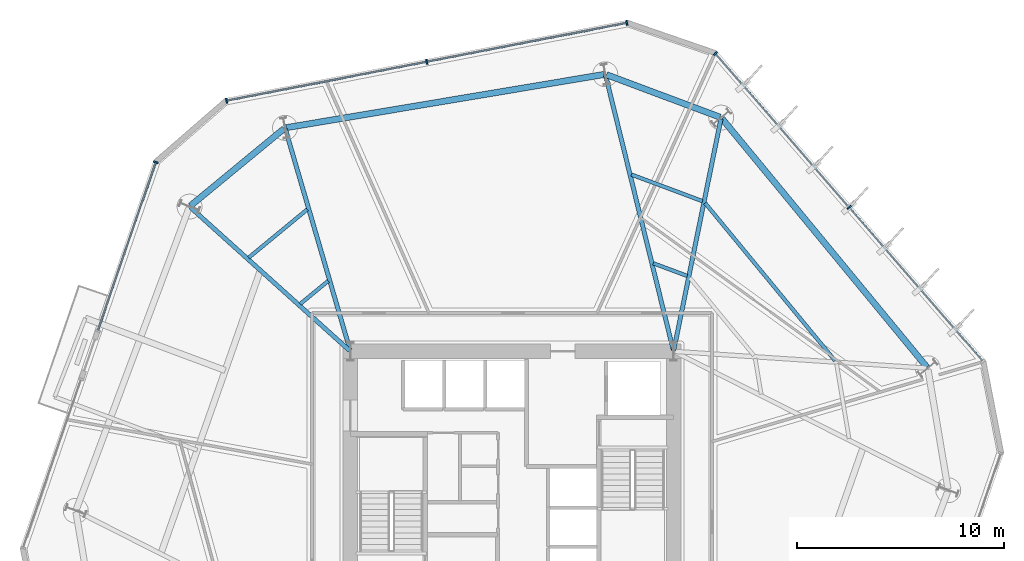
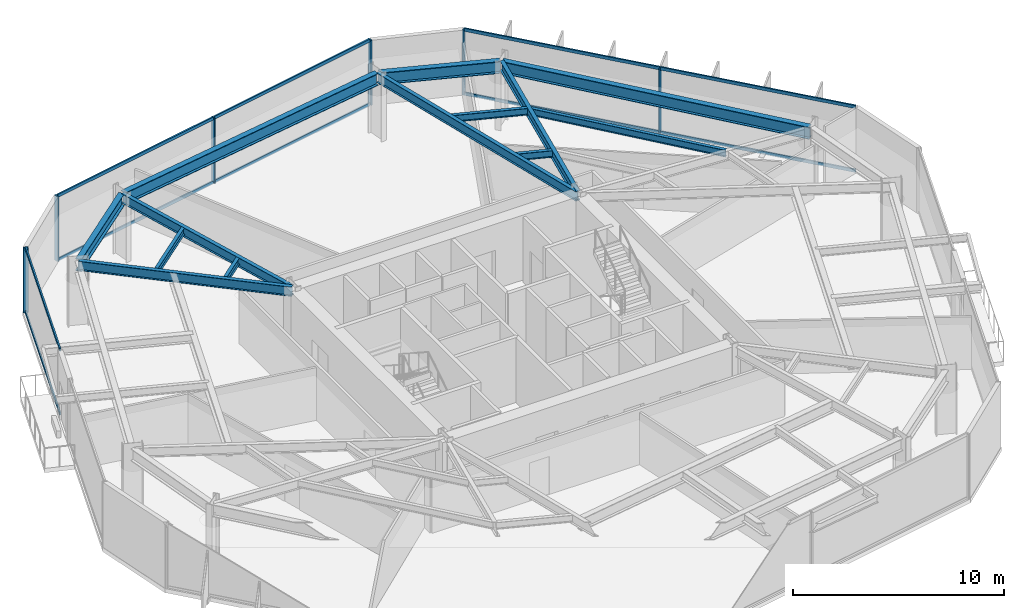
# One storey, part 4 of 10: 16 members, 13 beams, 3 elements without a shape of their own.
"""IFC4 building model written with IfcOpenShell, lengths in metres."""

from ifc_helpers import new_model, si_unit, direction, frame, origin, origin_2d, place, context, subcontext, project, spatial, rectangle, i_section, extrude, material, layer, layer_set, material_profile, profile_set, type_object, element, aggregate, save


model = new_model("IFC4")

# Units and contexts
model_context = context("Model", 3, precision=1e-05, world=origin(), true_north=direction((0.0, 1.0)))
body_context = subcontext(model_context, "Body", "Model", "MODEL_VIEW")
ifc_project = project(units=[si_unit("LENGTHUNIT", "METRE"), si_unit("AREAUNIT", "SQUARE_METRE"), si_unit("VOLUMEUNIT", "CUBIC_METRE"), si_unit("PLANEANGLEUNIT", "RADIAN"), si_unit("MASSUNIT", "GRAM", prefix="KILO")], contexts=[model_context])

# Site, building, storey
site_placement = place(None, origin())
site = spatial("IfcSite", under=ifc_project, at=site_placement, CompositionType="ELEMENT")
building_placement = place(site_placement, origin())
building = spatial("IfcBuilding", under=site, at=building_placement, Name="Kranzbogen Civic Tower", CompositionType="ELEMENT")
storey_placement = place(building_placement, frame((0.0, 0.0, 64.0)))
storey = spatial("IfcBuildingStorey", under=building, at=storey_placement, Name="L15", CompositionType="ELEMENT", Elevation=64.0)

# Curtain wall, members
ifc_material_1 = material(Name="Pale Anodised Aluminium", Category="aluminium")
ifc_layer = layer(ifc_material_1, 0.219970703125, Name="Pale Anodised Aluminium")
ifc_layer_set = layer_set([ifc_layer], Name="Pale Anodised Aluminium")
curtain_wall_type = type_object("IfcCurtainWallType", Name="Zone 1 Stick Curtain Wall System CW-02", PredefinedType="USERDEFINED", material=ifc_layer_set)
curtain_wall_1_placement = place(storey_placement, origin())
curtain_wall_1 = element("IfcCurtainWall", 1, at=curtain_wall_1_placement, inside=storey, type_object=curtain_wall_type, Name="L15 curtain wall CW-L15-F1", ObjectType="STICK CURTAIN WALL", PredefinedType="USERDEFINED")
ifc_material_profile_1 = material_profile(ifc_material_1, rectangle(XDim=0.080078125, YDim=0.239990234375, at=origin_2d()), Name="ALU-M 80x240")
ifc_profile_set_1 = profile_set([ifc_material_profile_1], Name="Pale Anodised Aluminium")
member_type_1 = type_object("IfcMemberType", Name="Curtain Wall Mullion ALU-M 80x240", PredefinedType="MULLION", material=ifc_profile_set_1)
member_1_placement = place(storey_placement, frame((41.281005859375, 39.153076171875, 0.0), z_axis=(0.0, 0.0, 1.0), x_axis=(-0.65605582795, 0.754712362833, 0.0)))
member_1 = element("IfcMember", 2, at=member_1_placement, type_object=member_type_1, Name="CW-02 mullion 2", PredefinedType="MULLION", context=body_context, shape_type="SweptSolid", body=[
    extrude(rectangle(XDim=0.080078125, YDim=0.239990234375, at=origin_2d()), origin(), (0.0, 0.0, 1.0), 3.760009765625),
])
member_2_placement = place(storey_placement, frame((34.82373046875, 46.581298828125, 0.0), z_axis=(0.0, 0.0, 1.0), x_axis=(-0.65605582795, 0.754712362833, 0.0)))
member_2 = element("IfcMember", 3, at=member_2_placement, type_object=member_type_1, Name="CW-02 mullion 3", PredefinedType="MULLION", context=body_context, shape_type="SweptSolid", body=[
    extrude(rectangle(XDim=0.080078125, YDim=0.239990234375, at=origin_2d()), origin(), (0.0, 0.0, 1.0), 3.760009765625),
])

curtain_wall_2_placement = place(storey_placement, origin())
curtain_wall_2 = element("IfcCurtainWall", 4, at=curtain_wall_2_placement, inside=storey, type_object=curtain_wall_type, Name="L15 curtain wall CW-L15-F2", ObjectType="STICK CURTAIN WALL", PredefinedType="USERDEFINED")
member_3_placement = place(storey_placement, frame((30.54443359375, 48.05419921875, 0.0), z_axis=(0.0, 0.0, 1.0), x_axis=(-0.98162224226, -0.190834413825, 0.0)))
member_3 = element("IfcMember", 5, at=member_3_placement, type_object=member_type_1, Name="CW-02 mullion 1", PredefinedType="MULLION", context=body_context, shape_type="SweptSolid", body=[
    extrude(rectangle(XDim=0.080078125, YDim=0.239990234375, at=origin_2d()), origin(), (0.0, 0.0, 1.0), 3.760009765625),
])
member_4_placement = place(storey_placement, frame((20.883056640625, 46.176025390625, 0.0), z_axis=(0.0, 0.0, 1.0), x_axis=(-0.98162224226, -0.190834413825, 0.0)))
member_4 = element("IfcMember", 6, at=member_4_placement, type_object=member_type_1, Name="CW-02 mullion 2", PredefinedType="MULLION", context=body_context, shape_type="SweptSolid", body=[
    extrude(rectangle(XDim=0.080078125, YDim=0.239990234375, at=origin_2d()), origin(), (0.0, 0.0, 1.0), 3.760009765625),
])
member_5_placement = place(storey_placement, frame((11.221435546875, 44.297607421875, 0.0), z_axis=(0.0, 0.0, 1.0), x_axis=(-0.98162224226, -0.190834413825, 0.0)))
member_5 = element("IfcMember", 7, at=member_5_placement, type_object=member_type_1, Name="CW-02 mullion 3", PredefinedType="MULLION", context=body_context, shape_type="SweptSolid", body=[
    extrude(rectangle(XDim=0.080078125, YDim=0.239990234375, at=origin_2d()), origin(), (0.0, 0.0, 1.0), 3.760009765625),
])

# Curtain wall, member
curtain_wall_3_placement = place(storey_placement, origin())
curtain_wall_3 = element("IfcCurtainWall", 8, at=curtain_wall_3_placement, inside=storey, type_object=curtain_wall_type, Name="L15 curtain wall CW-L15-F3-S1", ObjectType="STICK CURTAIN WALL", PredefinedType="USERDEFINED")
member_6_placement = place(storey_placement, frame((7.80615234375, 41.32861328125, 0.0), z_axis=(0.0, 0.0, 1.0), x_axis=(-0.325553504006, -0.945523620027, 0.0)))
member_6 = element("IfcMember", 9, at=member_6_placement, type_object=member_type_1, Name="CW-02 mullion 1", PredefinedType="MULLION", context=body_context, shape_type="SweptSolid", body=[
    extrude(rectangle(XDim=0.080078125, YDim=0.239990234375, at=origin_2d()), origin(), (0.0, 0.0, 1.0), 3.760009765625),
])

# Member
ifc_material_profile_2 = material_profile(ifc_material_1, rectangle(XDim=0.080078125, YDim=0.179931640625, at=origin_2d()), Name="ALU-T 80x180")
ifc_profile_set_2 = profile_set([ifc_material_profile_2], Name="Pale Anodised Aluminium")
member_type_2 = type_object("IfcMemberType", Name="Curtain Wall Transom ALU-T 80x180", PredefinedType="USERDEFINED", material=ifc_profile_set_2)
member_7_placement = place(storey_placement, frame((47.71875, 31.747314453125, 0.030029296875), z_axis=(-0.656057604111, 0.754710818849, 0.0), x_axis=(-0.754710818849, -0.656057604111, 0.0)))
member_7 = element("IfcMember", 10, at=member_7_placement, type_object=member_type_2, Name="CW-02 transom 1.1", ObjectType="TRANSOM", PredefinedType="USERDEFINED", context=body_context, shape_type="SweptSolid", body=[
    extrude(rectangle(XDim=0.080078125, YDim=0.179931640625, at=origin_2d()), origin(), (0.0, 0.0, 1.0), 9.78271484375),
])

member_8_placement = place(storey_placement, frame((47.71875, 31.747314453125, 3.72998046875), z_axis=(-0.656057604111, 0.754710818849, 0.0), x_axis=(-0.754710818849, -0.656057604111, 0.0)))
member_8 = element("IfcMember", 11, at=member_8_placement, type_object=member_type_2, Name="CW-02 transom 1.2", ObjectType="TRANSOM", PredefinedType="USERDEFINED", context=body_context, shape_type="SweptSolid", body=[
    extrude(rectangle(XDim=0.080078125, YDim=0.179931640625, at=origin_2d()), origin(), (0.0, 0.0, 1.0), 9.78271484375),
])

member_9_placement = place(storey_placement, frame((41.26123046875, 39.175537109375, 0.030029296875), z_axis=(-0.656045247428, 0.754721560131, 0.0), x_axis=(-0.754721560131, -0.656045247428, 0.0)))
member_9 = element("IfcMember", 12, at=member_9_placement, type_object=member_type_2, Name="CW-02 transom 2.1", ObjectType="TRANSOM", PredefinedType="USERDEFINED", context=body_context, shape_type="SweptSolid", body=[
    extrude(rectangle(XDim=0.080078125, YDim=0.179931640625, at=origin_2d()), origin(), (0.0, 0.0, 1.0), 9.78271484375),
])

member_10_placement = place(storey_placement, frame((41.26123046875, 39.175537109375, 3.72998046875), z_axis=(-0.656045247428, 0.754721560131, 0.0), x_axis=(-0.754721560131, -0.656045247428, 0.0)))
member_10 = element("IfcMember", 13, at=member_10_placement, type_object=member_type_2, Name="CW-02 transom 2.2", ObjectType="TRANSOM", PredefinedType="USERDEFINED", context=body_context, shape_type="SweptSolid", body=[
    extrude(rectangle(XDim=0.080078125, YDim=0.179931640625, at=origin_2d()), origin(), (0.0, 0.0, 1.0), 9.78271484375),
])

aggregate(curtain_wall_1, [member_1, member_2, member_7, member_8, member_9, member_10])

member_11_placement = place(storey_placement, frame((30.51513671875, 48.048583984375, 0.030029296875), z_axis=(-0.981620454876, -0.190843607618, 0.0), x_axis=(0.190843607618, -0.981620454876, 0.0)))
member_11 = element("IfcMember", 14, at=member_11_placement, type_object=member_type_2, Name="CW-02 transom 1.1", ObjectType="TRANSOM", PredefinedType="USERDEFINED", context=body_context, shape_type="SweptSolid", body=[
    extrude(rectangle(XDim=0.080078125, YDim=0.179931640625, at=origin_2d()), origin(), (0.0, 0.0, 1.0), 9.782470703125),
])

member_12_placement = place(storey_placement, frame((30.51513671875, 48.048583984375, 3.72998046875), z_axis=(-0.981620454876, -0.190843607618, 0.0), x_axis=(0.190843607618, -0.981620454876, 0.0)))
member_12 = element("IfcMember", 15, at=member_12_placement, type_object=member_type_2, Name="CW-02 transom 1.2", ObjectType="TRANSOM", PredefinedType="USERDEFINED", context=body_context, shape_type="SweptSolid", body=[
    extrude(rectangle(XDim=0.080078125, YDim=0.179931640625, at=origin_2d()), origin(), (0.0, 0.0, 1.0), 9.782470703125),
])

member_13_placement = place(storey_placement, frame((20.853515625, 46.170166015625, 0.030029296875), z_axis=(-0.981624221123, -0.190824234585, 0.0), x_axis=(0.190824234585, -0.981624221123, 0.0)))
member_13 = element("IfcMember", 16, at=member_13_placement, type_object=member_type_2, Name="CW-02 transom 2.1", ObjectType="TRANSOM", PredefinedType="USERDEFINED", context=body_context, shape_type="SweptSolid", body=[
    extrude(rectangle(XDim=0.080078125, YDim=0.179931640625, at=origin_2d()), origin(), (0.0, 0.0, 1.0), 9.7822265625),
])

member_14_placement = place(storey_placement, frame((20.853515625, 46.170166015625, 3.72998046875), z_axis=(-0.981624221123, -0.190824234585, 0.0), x_axis=(0.190824234585, -0.981624221123, 0.0)))
member_14 = element("IfcMember", 17, at=member_14_placement, type_object=member_type_2, Name="CW-02 transom 2.2", ObjectType="TRANSOM", PredefinedType="USERDEFINED", context=body_context, shape_type="SweptSolid", body=[
    extrude(rectangle(XDim=0.080078125, YDim=0.179931640625, at=origin_2d()), origin(), (0.0, 0.0, 1.0), 9.7822265625),
])

aggregate(curtain_wall_2, [member_3, member_4, member_5, member_11, member_12, member_13, member_14])

member_15_placement = place(storey_placement, frame((7.79638671875, 41.30029296875, 0.030029296875), z_axis=(-0.325556875479, -0.945522459188, 0.0), x_axis=(0.945522459188, -0.325556875479, 0.0)))
member_15 = element("IfcMember", 18, at=member_15_placement, type_object=member_type_2, Name="CW-02 transom 1.1", ObjectType="TRANSOM", PredefinedType="USERDEFINED", context=body_context, shape_type="SweptSolid", body=[
    extrude(rectangle(XDim=0.080078125, YDim=0.179931640625, at=origin_2d()), origin(), (0.0, 0.0, 1.0), 8.55126953125),
])

member_16_placement = place(storey_placement, frame((7.79638671875, 41.30029296875, 3.72998046875), z_axis=(-0.325556875479, -0.945522459188, 0.0), x_axis=(0.945522459188, -0.325556875479, 0.0)))
member_16 = element("IfcMember", 19, at=member_16_placement, type_object=member_type_2, Name="CW-02 transom 1.2", ObjectType="TRANSOM", PredefinedType="USERDEFINED", context=body_context, shape_type="SweptSolid", body=[
    extrude(rectangle(XDim=0.080078125, YDim=0.179931640625, at=origin_2d()), origin(), (0.0, 0.0, 1.0), 8.55126953125),
])

aggregate(curtain_wall_3, [member_6, member_15, member_16])

# Beams
ifc_material_2 = material(Name="Steel S355", Category="steel")
ifc_material_profile_3 = material_profile(ifc_material_2, i_section(OverallWidth=0.300048828125, OverallDepth=0.699951171875, WebThickness=0.01708984375, FlangeThickness=0.031982421875, at=origin_2d()), Name="HEB 700")
ifc_profile_set_3 = profile_set([ifc_material_profile_3], Name="Steel S355")
beam_type_1 = type_object("IfcBeamType", Name="Perimeter Tube Spandrel Beam HEB 700", PredefinedType="SPANDREL", material=ifc_profile_set_3)
beam_1_placement = place(storey_placement, frame((45.033935546875, 31.431884765625, 3.409912109375), z_axis=(-0.636074572579, 0.771627590304, 0.0), x_axis=(-0.771627590304, -0.636074572579, 0.0)))
element("IfcBeam", 20, at=beam_1_placement, inside=storey, type_object=beam_type_1, Name="L15 perimeter spandrel beam 08", PredefinedType="SPANDREL", context=body_context, shape_type="SweptSolid", body=[
    extrude(i_section(OverallWidth=0.300048828125, OverallDepth=0.699951171875, WebThickness=0.01708984375, FlangeThickness=0.031982421875, at=origin_2d()), origin(), (0.0, 0.0, 1.0), 15.5595703125),
])
beam_2_placement = place(storey_placement, frame((35.04296875, 43.5048828125, 3.409912109375), z_axis=(-0.936647646965, 0.350273015568, 0.0), x_axis=(-0.350273015568, -0.936647646965, 0.0)))
element("IfcBeam", 21, at=beam_2_placement, inside=storey, type_object=beam_type_1, Name="L15 perimeter spandrel beam 09", PredefinedType="SPANDREL", context=body_context, shape_type="SweptSolid", body=[
    extrude(i_section(OverallWidth=0.300048828125, OverallDepth=0.699951171875, WebThickness=0.01708984375, FlangeThickness=0.031982421875, at=origin_2d()), origin(), (0.0, 0.0, 1.0), 5.852783203125),
])
beam_3_placement = place(storey_placement, frame((29.446044921875, 45.56591796875, 3.409912109375), z_axis=(-0.986285563243, -0.165047834697, 0.0), x_axis=(0.165047834697, -0.986285563243, 0.0)))
element("IfcBeam", 22, at=beam_3_placement, inside=storey, type_object=beam_type_1, Name="L15 perimeter spandrel beam 10", PredefinedType="SPANDREL", context=body_context, shape_type="SweptSolid", body=[
    extrude(i_section(OverallWidth=0.300048828125, OverallDepth=0.699951171875, WebThickness=0.01708984375, FlangeThickness=0.031982421875, at=origin_2d()), origin(), (0.0, 0.0, 1.0), 15.558349609375),
])
beam_4_placement = place(storey_placement, frame((13.99609375, 42.949951171875, 3.409912109375), z_axis=(-0.77168336865, -0.636006901337, 0.0), x_axis=(0.636006901337, -0.77168336865, 0.0)))
element("IfcBeam", 23, at=beam_4_placement, inside=storey, type_object=beam_type_1, Name="L15 perimeter spandrel beam 11", PredefinedType="SPANDREL", context=body_context, shape_type="SweptSolid", body=[
    extrude(i_section(OverallWidth=0.300048828125, OverallDepth=0.699951171875, WebThickness=0.01708984375, FlangeThickness=0.031982421875, at=origin_2d()), origin(), (0.0, 0.0, 1.0), 5.853515625),
])
ifc_material_profile_4 = material_profile(ifc_material_2, i_section(OverallWidth=0.2099609375, OverallDepth=0.550048828125, WebThickness=0.010986328125, FlangeThickness=0.01708984375, at=origin_2d()), Name="IPE 550")
ifc_profile_set_4 = profile_set([ifc_material_profile_4], Name="Steel S355")
beam_type_2 = type_object("IfcBeamType", Name="Radial Tower Floor Girder IPE 550", PredefinedType="BEAM", material=ifc_profile_set_4)
beam_5_placement = place(storey_placement, frame((35.0869140625, 43.425048828125, 3.485107421875), z_axis=(-0.199633433694, -0.979870650725, 0.0), x_axis=(0.979870650725, -0.199633433694, 0.0)))
element("IfcBeam", 24, at=beam_5_placement, inside=storey, type_object=beam_type_2, Name="L15 radial floor girder 09", PredefinedType="BEAM", context=body_context, shape_type="SweptSolid", body=[
    extrude(i_section(OverallWidth=0.2099609375, OverallDepth=0.550048828125, WebThickness=0.010986328125, FlangeThickness=0.01708984375, at=origin_2d()), origin(), (0.0, 0.0, 1.0), 11.3955078125),
])
beam_6_placement = place(storey_placement, frame((29.51904296875, 45.51806640625, 3.485107421875), z_axis=(0.239215348776, -0.970966537482, 0.0), x_axis=(0.970966537482, 0.239215348776, 0.0)))
element("IfcBeam", 25, at=beam_6_placement, inside=storey, type_object=beam_type_2, Name="L15 radial floor girder 10", PredefinedType="BEAM", context=body_context, shape_type="SweptSolid", body=[
    extrude(i_section(OverallWidth=0.2099609375, OverallDepth=0.550048828125, WebThickness=0.010986328125, FlangeThickness=0.01708984375, at=origin_2d()), origin(), (0.0, 0.0, 1.0), 13.656494140625),
])
beam_7_placement = place(storey_placement, frame((14.05908203125, 42.929931640625, 3.485107421875), z_axis=(0.280944131918, -0.959724124288, 0.0), x_axis=(0.959724124288, 0.280944131918, 0.0)))
element("IfcBeam", 26, at=beam_7_placement, inside=storey, type_object=beam_type_2, Name="L15 radial floor girder 11", PredefinedType="BEAM", context=body_context, shape_type="SweptSolid", body=[
    extrude(i_section(OverallWidth=0.2099609375, OverallDepth=0.550048828125, WebThickness=0.010986328125, FlangeThickness=0.01708984375, at=origin_2d()), origin(), (0.0, 0.0, 1.0), 11.11962890625),
])
beam_8_placement = place(storey_placement, frame((9.47802734375, 39.14892578125, 3.485107421875), z_axis=(0.743311776894, -0.668945141496, 0.0), x_axis=(0.668945141496, 0.743311776894, 0.0)))
element("IfcBeam", 27, at=beam_8_placement, inside=storey, type_object=beam_type_2, Name="L15 radial floor girder 12", PredefinedType="BEAM", context=body_context, shape_type="SweptSolid", body=[
    extrude(i_section(OverallWidth=0.2099609375, OverallDepth=0.550048828125, WebThickness=0.010986328125, FlangeThickness=0.01708984375, at=origin_2d()), origin(), (0.0, 0.0, 1.0), 10.328125),
])
ifc_material_profile_5 = material_profile(ifc_material_2, i_section(OverallWidth=0.179931640625, OverallDepth=0.39990234375, WebThickness=0.008544921875, FlangeThickness=0.013427734375, at=origin_2d()), Name="IPE 400")
ifc_profile_set_5 = profile_set([ifc_material_profile_5], Name="Steel S355")
beam_type_3 = type_object("IfcBeamType", Name="Secondary Composite Floor Joist IPE 400", PredefinedType="JOIST", material=ifc_profile_set_5)
beam_9_placement = place(storey_placement, frame((40.60302734375, 31.740966796875, 3.56005859375), z_axis=(-0.636094561772, 0.771611112209, 0.0), x_axis=(-0.771611112209, -0.636094561772, 0.0)))
element("IfcBeam", 28, at=beam_9_placement, inside=storey, type_object=beam_type_3, Name="L15 secondary floor joist 1.08", PredefinedType="JOIST", context=body_context, shape_type="SweptSolid", body=[
    extrude(i_section(OverallWidth=0.179931640625, OverallDepth=0.39990234375, WebThickness=0.008544921875, FlangeThickness=0.013427734375, at=origin_2d()), origin(), (0.0, 0.0, 1.0), 9.874267578125),
])
beam_10_placement = place(storey_placement, frame((34.196044921875, 39.449951171875, 3.56005859375), z_axis=(-0.936622008794, 0.350341565678, 0.0), x_axis=(-0.350341565678, -0.936622008794, 0.0)))
element("IfcBeam", 29, at=beam_10_placement, inside=storey, type_object=beam_type_3, Name="L15 secondary floor joist 1.09", PredefinedType="JOIST", context=body_context, shape_type="SweptSolid", body=[
    extrude(i_section(OverallWidth=0.179931640625, OverallDepth=0.39990234375, WebThickness=0.008544921875, FlangeThickness=0.013427734375, at=origin_2d()), origin(), (0.0, 0.0, 1.0), 3.662109375),
])
beam_11_placement = place(storey_placement, frame((33.4609375, 35.839111328125, 3.56005859375), z_axis=(-0.936735458815, 0.350038112495, 0.0), x_axis=(-0.350038112495, -0.936735458815, 0.0)))
element("IfcBeam", 30, at=beam_11_placement, inside=storey, type_object=beam_type_3, Name="L15 secondary floor joist 2.09", PredefinedType="JOIST", context=body_context, shape_type="SweptSolid", body=[
    extrude(i_section(OverallWidth=0.179931640625, OverallDepth=0.39990234375, WebThickness=0.008544921875, FlangeThickness=0.013427734375, at=origin_2d()), origin(), (0.0, 0.0, 1.0), 1.750732421875),
])
beam_12_placement = place(storey_placement, frame((15.116943359375, 39.052978515625, 3.56005859375), z_axis=(-0.771712720426, -0.635971286406, 0.0), x_axis=(0.635971286406, -0.771712720426, 0.0)))
element("IfcBeam", 31, at=beam_12_placement, inside=storey, type_object=beam_type_3, Name="L15 secondary floor joist 1.11", PredefinedType="JOIST", context=body_context, shape_type="SweptSolid", body=[
    extrude(i_section(OverallWidth=0.179931640625, OverallDepth=0.39990234375, WebThickness=0.008544921875, FlangeThickness=0.013427734375, at=origin_2d()), origin(), (0.0, 0.0, 1.0), 3.661865234375),
])
beam_13_placement = place(storey_placement, frame((16.1279296875, 35.60107421875, 3.56005859375), z_axis=(-0.771773324836, -0.635897739477, 0.0), x_axis=(0.635897739477, -0.771773324836, 0.0)))
element("IfcBeam", 32, at=beam_13_placement, inside=storey, type_object=beam_type_3, Name="L15 secondary floor joist 2.11", PredefinedType="JOIST", context=body_context, shape_type="SweptSolid", body=[
    extrude(i_section(OverallWidth=0.179931640625, OverallDepth=0.39990234375, WebThickness=0.008544921875, FlangeThickness=0.013427734375, at=origin_2d()), origin(), (0.0, 0.0, 1.0), 1.751953125),
])

save(model, "model.ifc")
